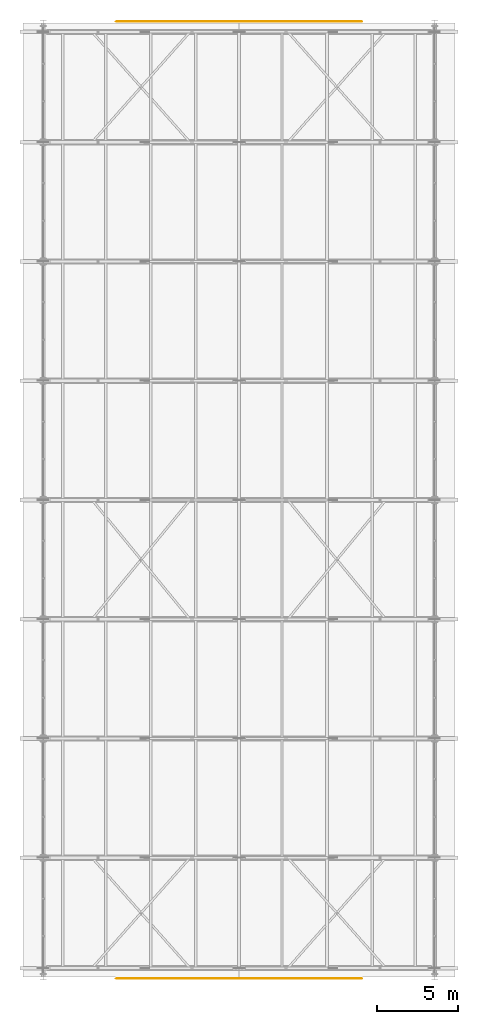
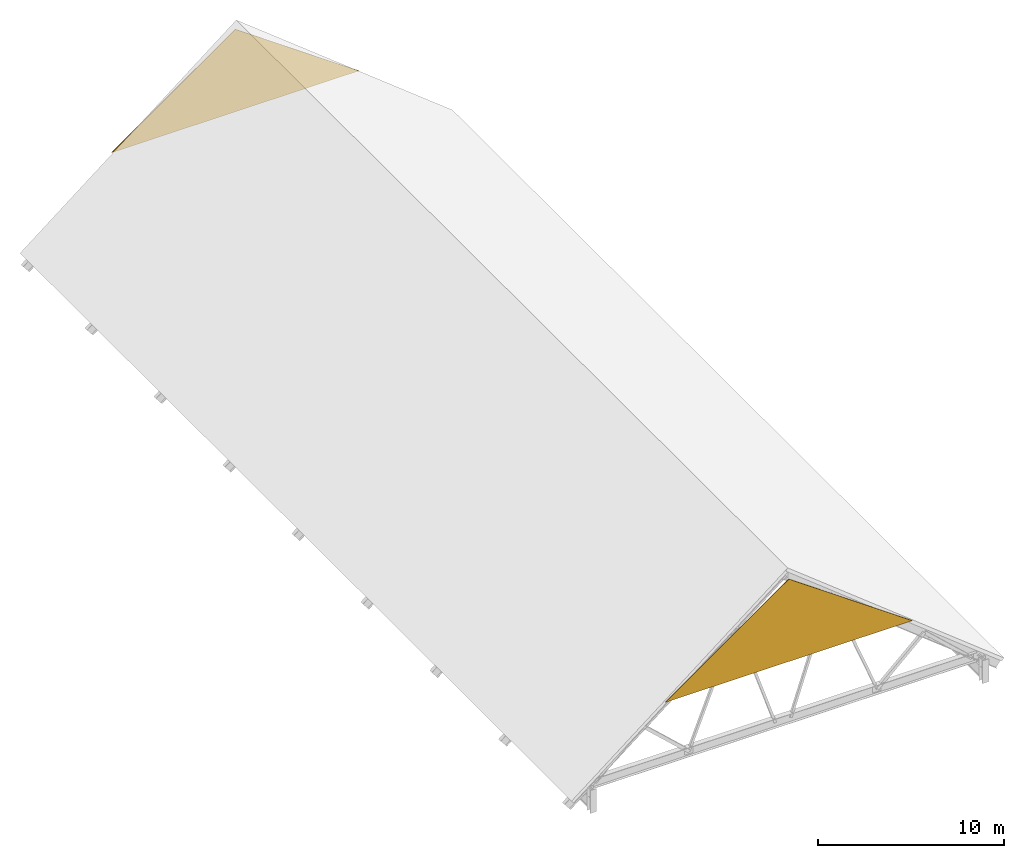
# One storey, part 44 of 44: 2 coverings.
"""IFC4 building model written with IfcOpenShell, lengths in metres."""

import ifcopenshell
import ifcopenshell.guid

model = None  # the IFC model being written
_history = None  # IfcOwnerHistory: only IFC2X3 demands one
_inside = {}  # id of a spatial element -> (the spatial element, [elements in it])
_under = {}  # id of a project, library or spatial element -> (it, [spatial elements below it])
_declared = {}  # id of a project -> (the project, [libraries it declares])
_typed = {}  # id of a type object -> (the type object, [elements of that type])
_made_of = {}  # id of a material, layer set ... -> (it, [elements and type objects made of it])


def new_model(schema):
    """Start an empty IFC model of exactly this schema.

    Asked for "IFC4X3", IfcOpenShell would pick the latest addendum, in which some entities
    have other attributes; the version numbers below select the first issue.
    IFC2X3 requires an IfcOwnerHistory on every rooted entity: one is made here for all.
    """
    global model, _history
    if schema == "IFC4X3":
        model = ifcopenshell.file(schema_version=(4, 3, 0, 0))
    else:
        model = ifcopenshell.file(schema=schema)
    _inside.clear()
    _under.clear()
    _declared.clear()
    _typed.clear()
    _made_of.clear()
    _history = None
    if model.schema == "IFC2X3":
        org = make("IfcOrganization", Name="unknown")
        user = make(
            "IfcPersonAndOrganization",
            ThePerson=make("IfcPerson", FamilyName="unknown"),
            TheOrganization=org,
        )
        app = make(
            "IfcApplication",
            ApplicationDeveloper=org,
            Version="unknown",
            ApplicationFullName="unknown",
            ApplicationIdentifier="unknown",
        )
        _history = make(
            "IfcOwnerHistory",
            OwningUser=user,
            OwningApplication=app,
            ChangeAction="ADDED",
            CreationDate=0,
        )
    return model


def make(cls, **values):
    """One entity of the class cls with the attributes given. An attribute that is None is left unset."""
    return model.create_entity(
        cls, **{name: value for name, value in values.items() if value is not None}
    )


def rooted(cls, **values):
    """An entity with a GlobalId (a new one), such as an element, a storey or a relation."""
    return make(cls, GlobalId=ifcopenshell.guid.new(), OwnerHistory=_history, **values)


def si_unit(unit_type, name, prefix=None):
    """IfcSIUnit, for example si_unit("LENGTHUNIT", "METRE", prefix="MILLI")."""
    return make("IfcSIUnit", UnitType=unit_type, Prefix=prefix, Name=name)


def assignment(units):
    """IfcUnitAssignment: the units of a project."""
    return None if units is None else make("IfcUnitAssignment", Units=units)


def point(xyz):
    """IfcCartesianPoint."""
    return None if xyz is None else make("IfcCartesianPoint", Coordinates=xyz)


def direction(xyz):
    """IfcDirection."""
    return None if xyz is None else make("IfcDirection", DirectionRatios=xyz)


def frame(location, z_axis=None, x_axis=None):
    """IfcAxis2Placement3D, a coordinate frame: its origin and axes. An axis left out is left unset."""
    return make(
        "IfcAxis2Placement3D",
        Location=point(location),
        Axis=direction(z_axis),
        RefDirection=direction(x_axis),
    )


def origin():
    """The frame at (0, 0, 0) with its axes left unset."""
    return frame((0.0, 0.0, 0.0))


def place(relative_to, where):
    """IfcLocalPlacement: puts the frame where relative to a parent placement (None: the world)."""
    return make(
        "IfcLocalPlacement", PlacementRelTo=relative_to, RelativePlacement=where
    )


def context(
    kind, dimensions, precision=None, world=None, true_north=None, identifier=None
):
    """IfcGeometricRepresentationContext, for example the 3D "Model" context."""
    return make(
        "IfcGeometricRepresentationContext",
        ContextIdentifier=identifier,
        ContextType=kind,
        CoordinateSpaceDimension=dimensions,
        Precision=precision,
        WorldCoordinateSystem=world,
        TrueNorth=true_north,
    )


def subcontext(parent, identifier, kind, view, scale=None):
    """IfcGeometricRepresentationSubContext, for example "Body" below "Model"."""
    return make(
        "IfcGeometricRepresentationSubContext",
        ContextIdentifier=identifier,
        ContextType=kind,
        ParentContext=parent,
        TargetScale=scale,
        TargetView=view,
    )


def project(units=None, contexts=None):
    """IfcProject with its units and contexts."""
    return rooted(
        "IfcProject",
        Name="project",
        RepresentationContexts=contexts,
        UnitsInContext=assignment(units),
    )


def spatial(cls, under=None, at=None, **own):
    """A site, building, storey or space (cls), placed at a placement, below another one or the project."""
    s = rooted(cls, ObjectPlacement=at, **own)
    if under is not None:
        _under.setdefault(under.id(), (under, []))[1].append(s)
    return s


def polyline(points):
    """IfcPolyline through the points."""
    return make("IfcPolyline", Points=[point(p) for p in points])


def outline(outer, holes=None, kind="AREA"):
    """IfcArbitraryClosedProfileDef: a profile drawn as a closed curve; with holes, ...WithVoids."""
    if holes is None:
        return make("IfcArbitraryClosedProfileDef", ProfileType=kind, OuterCurve=outer)
    return make(
        "IfcArbitraryProfileDefWithVoids",
        ProfileType=kind,
        OuterCurve=outer,
        InnerCurves=holes,
    )


def extrude(swept, where, along, depth):
    """IfcExtrudedAreaSolid: the profile swept, set in the frame where, extruded along a direction by depth."""
    return make(
        "IfcExtrudedAreaSolid",
        SweptArea=swept,
        Position=where,
        ExtrudedDirection=direction(along),
        Depth=depth,
    )


def shape(context_of_items, identifier, shape_type, items):
    """IfcShapeRepresentation: the items that make up one representation, for example the "Body"."""
    return make(
        "IfcShapeRepresentation",
        ContextOfItems=context_of_items,
        RepresentationIdentifier=identifier,
        RepresentationType=shape_type,
        Items=items,
    )


def material(Name=None, Category=None):
    """IfcMaterial."""
    return make("IfcMaterial", Name=Name, Category=Category)


def layer(
    of_material, thickness, ventilated=None, Name=None, Category=None, Priority=None
):
    """IfcMaterialLayer: one layer of a wall or slab, of a material (None: an air gap)."""
    return make(
        "IfcMaterialLayer",
        Material=of_material,
        LayerThickness=thickness,
        IsVentilated=ventilated,
        Name=Name,
        Category=Category,
        Priority=Priority,
    )


def layer_set(layers, Name=None):
    """IfcMaterialLayerSet."""
    return make("IfcMaterialLayerSet", MaterialLayers=layers, LayerSetName=Name)


def made_of(thing, what):
    """Note that an element or type object is made of a material, layer set ...; save() writes the relation."""
    if what is not None:
        _made_of.setdefault(what.id(), (what, []))[1].append(thing)
    return thing


def type_object(cls, material=None, **own):
    """A type object (cls), such as IfcWallType, which elements share."""
    return made_of(rooted(cls, **own), material)


def element(
    cls,
    number,
    at=None,
    inside=None,
    cuts=None,
    type_object=None,
    material=None,
    context=None,
    identifier="Body",
    shape_type=None,
    held_by="IfcProductDefinitionShape",
    body=None,
    shapes=None,
    **own,
):
    """One element of the class cls, such as IfcWall. Its Tag is "e" and its number.

    at: its placement. inside: the storey or other place that contains it. cuts: it is an
    opening in that element (IfcRelVoidsElement). A single representation is given by context,
    identifier, shape_type and body (its items); several are given by shapes. held_by: the class
    of the entity that holds the representations. save() writes the other relations.
    """
    e = rooted(cls, Tag="e%d" % number, ObjectPlacement=at, **own)
    if body is not None:
        shapes = [shape(context, identifier, shape_type, body)]
    if shapes is not None:
        e.Representation = make(held_by, Representations=shapes)
    if inside is not None:
        _inside.setdefault(inside.id(), (inside, []))[1].append(e)
    if cuts is not None:
        rooted(
            "IfcRelVoidsElement", RelatingBuildingElement=cuts, RelatedOpeningElement=e
        )
    if type_object is not None:
        _typed.setdefault(type_object.id(), (type_object, []))[1].append(e)
    return made_of(e, material)


def aggregate(whole, parts):
    """IfcRelAggregates: a whole, such as a stair, and the parts it consists of."""
    return rooted("IfcRelAggregates", RelatingObject=whole, RelatedObjects=parts)


def save(model, path):
    """Write the relations noted so far, then the file.

    IfcRelAggregates (storeys below a building ...), IfcRelContainedInSpatialStructure (elements
    in a storey), IfcRelDefinesByType, IfcRelAssociatesMaterial and IfcRelDeclares: one each for
    every whole, place, type object, material and project.
    """
    for whole, parts in _under.values():
        aggregate(whole, parts)
    for where, things in _inside.values():
        rooted(
            "IfcRelContainedInSpatialStructure",
            RelatedElements=things,
            RelatingStructure=where,
        )
    for kind, things in _typed.values():
        rooted("IfcRelDefinesByType", RelatedObjects=things, RelatingType=kind)
    for what, things in _made_of.values():
        rooted("IfcRelAssociatesMaterial", RelatedObjects=things, RelatingMaterial=what)
    for by, libraries in _declared.values():
        rooted("IfcRelDeclares", RelatingContext=by, RelatedDefinitions=libraries)
    model.write(path)


model = new_model("IFC4")

# Units and contexts
model_context = context("Model", 3, precision=1e-05, world=origin(), true_north=direction((0.0, 1.0)))
body_context = subcontext(model_context, "Body", "Model", "MODEL_VIEW")
ifc_project = project(units=[si_unit("LENGTHUNIT", "METRE"), si_unit("AREAUNIT", "SQUARE_METRE"), si_unit("VOLUMEUNIT", "CUBIC_METRE"), si_unit("PLANEANGLEUNIT", "RADIAN"), si_unit("MASSUNIT", "GRAM", prefix="KILO")], contexts=[model_context])

# Site, building, storey
site_placement = place(None, origin())
site = spatial("IfcSite", under=ifc_project, at=site_placement, CompositionType="ELEMENT")
building_placement = place(site_placement, origin())
building = spatial("IfcBuilding", under=site, at=building_placement, Name="Cimatlan Art Gallery", CompositionType="ELEMENT")
storey_placement = place(building_placement, frame((0.0, 0.0, 26.39990234375)))
storey = spatial("IfcBuildingStorey", under=building, at=storey_placement, Name="Roof", CompositionType="ELEMENT", Elevation=26.39990234375)

# Coverings
ifc_material = material(Name="Queretaro cantera limestone ashlar hood-mould", Category="masonry")
ifc_layer = layer(ifc_material, 0.0419921875)
ifc_layer_set = layer_set([ifc_layer], Name="Queretaro cantera limestone ashlar hood-mould")
covering_type = type_object("IfcCoveringType", Name="COV-CLAD-CANTERA-42", PredefinedType="CLADDING", material=ifc_layer_set)
for number, where, z_axis, x_axis, name in (
    (1, (79.39990234375, 23.780029296875, 5.60009765625), (0.0, -1.0, 0.0), (1.0, 0.0, 0.0), "CLD-GABLE-V1-S"),
    (2, (79.39990234375, 83.179931640625, 5.60009765625), (0.0, -1.0, 0.0), (1.0, 0.0, 0.0), "CLD-GABLE-V1-N"),
):
    element("IfcCovering", number, at=place(storey_placement, frame(where, z_axis=z_axis, x_axis=x_axis)), inside=storey, type_object=covering_type, Name=name, PredefinedType="CLADDING", context=body_context, shape_type="SweptSolid", body=[
        extrude(outline(polyline([(0.0, 0.0), (15.300048828125, 0.0), (7.650146484375, 5.39990234375), (0.0, 0.0)])), origin(), (0.0, 0.0, -1.0), 0.0419921875),
    ])

save(model, "model.ifc")
